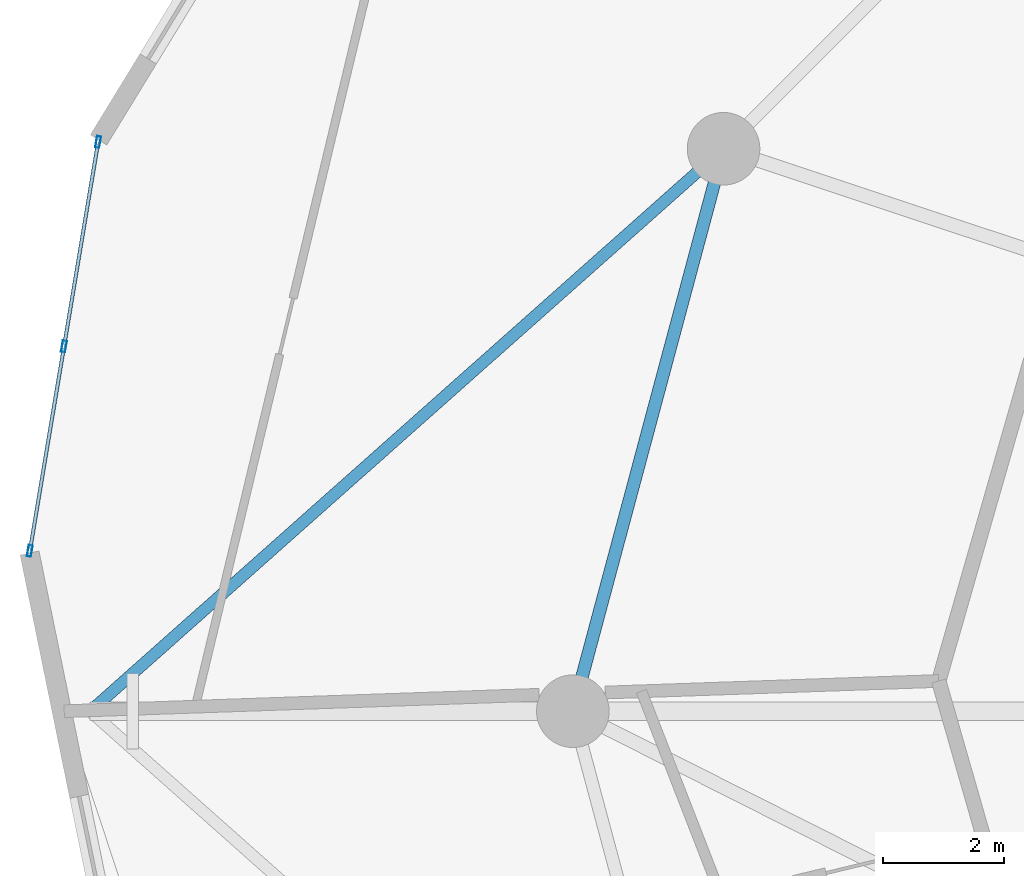
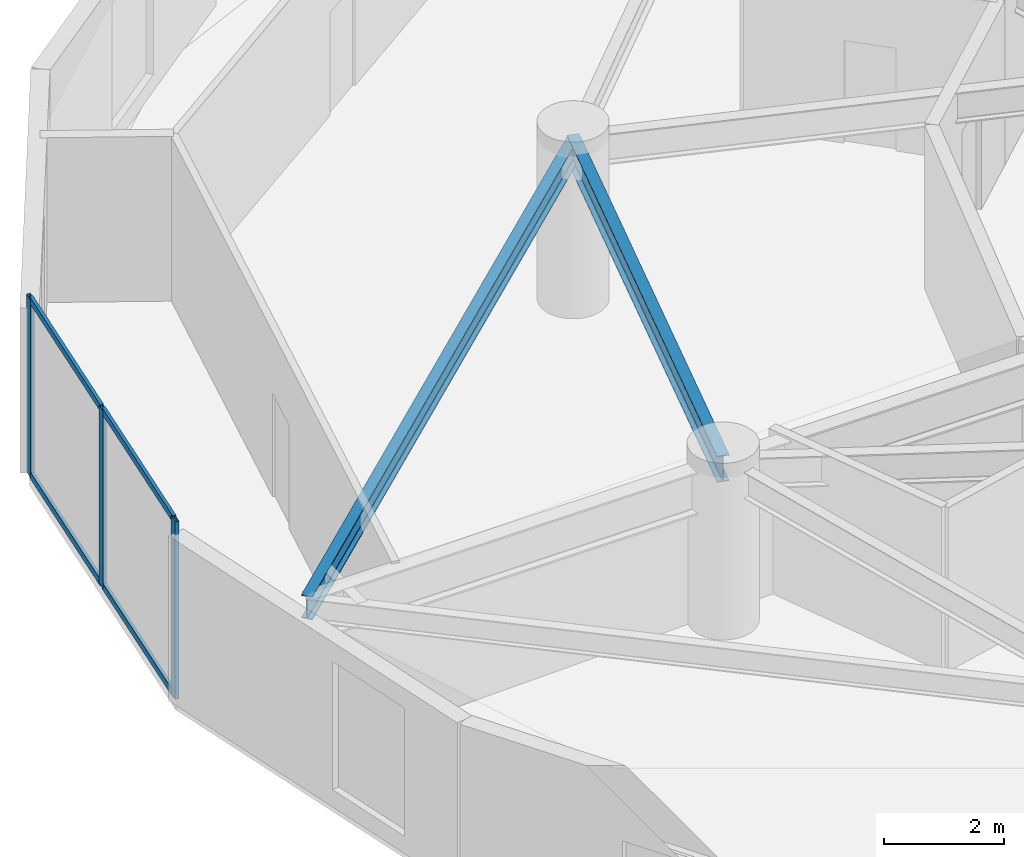
# One storey, part 4 of 23: 7 members, 2 beams, 1 element without a shape of its own.
"""IFC4 building model written with IfcOpenShell, lengths in metres."""

from ifc_helpers import new_model, si_unit, direction, frame, origin, origin_2d, place, context, subcontext, project, spatial, hollow_rectangle, i_section, extrude, source, transform, mapped, material, layer, layer_set, material_profile, profile_set, type_object, element, aggregate, save


model = new_model("IFC4")

# Units and contexts
model_context = context("Model", 3, precision=1e-05, world=origin(), true_north=direction((0.0, 1.0)))
body_context = subcontext(model_context, "Body", "Model", "MODEL_VIEW")
ifc_project = project(units=[si_unit("LENGTHUNIT", "METRE"), si_unit("AREAUNIT", "SQUARE_METRE"), si_unit("VOLUMEUNIT", "CUBIC_METRE"), si_unit("PLANEANGLEUNIT", "RADIAN"), si_unit("MASSUNIT", "GRAM", prefix="KILO")], contexts=[model_context])

# Site, building, storey
site_placement = place(None, origin())
site = spatial("IfcSite", under=ifc_project, at=site_placement, CompositionType="ELEMENT")
building_placement = place(site_placement, origin())
building = spatial("IfcBuilding", under=site, at=building_placement, Name="Solvirekh Grand Hotel", CompositionType="ELEMENT")
storey_placement = place(building_placement, frame((0.0, 0.0, 75.199951171875)))
storey = spatial("IfcBuildingStorey", under=building, at=storey_placement, Name="L18", CompositionType="ELEMENT", Elevation=75.199951171875)

# Beams
ifc_material_1 = material(Name="Steel S355", Category="steel")
ifc_material_profile_1 = material_profile(ifc_material_1, i_section(OverallWidth=0.194091796875, OverallDepth=0.468994140625, WebThickness=0.010986328125, FlangeThickness=0.01904296875, FilletRadius=0.012939453125, at=origin_2d()), Name="W460X106")
ifc_profile_set_1 = profile_set([ifc_material_profile_1], Name="Steel S355")
beam_type_1 = type_object("IfcBeamType", Name="Beam_Radial_W460H", PredefinedType="BEAM", material=ifc_profile_set_1)
beam_1_placement = place(storey_placement, frame((-16.10791015625, 9.300048828125, 3.054931640625), z_axis=(-0.747712190625, -0.664022951403, 0.0), x_axis=(0.664022951403, -0.747712190625, 0.0)))
element("IfcBeam", 1, at=beam_1_placement, inside=storey, type_object=beam_type_1, Name="L19 sky-garden edge tie beam 1", PredefinedType="BEAM", context=body_context, shape_type="SweptSolid", body=[
    extrude(i_section(OverallWidth=0.194091796875, OverallDepth=0.468994140625, WebThickness=0.010986328125, FlangeThickness=0.01904296875, FilletRadius=0.012939453125, at=origin_2d()), origin(), (0.0, 0.0, 1.0), 14.005615234375),
])
ifc_material_profile_2 = material_profile(ifc_material_1, i_section(OverallWidth=0.208984375, OverallDepth=0.532958984375, WebThickness=0.010009765625, FlangeThickness=0.014892578125, FilletRadius=0.013916015625, at=origin_2d()), Name="W530X92")
ifc_profile_set_2 = profile_set([ifc_material_profile_2], Name="Steel S355")
beam_type_2 = type_object("IfcBeamType", Name="Spandrel_Ring_W530", PredefinedType="SPANDREL", material=ifc_profile_set_2)
beam_2_placement = place(storey_placement, frame((-16.10791015625, 9.300048828125, 3.073974609375), z_axis=(-0.258842973314, -0.965919414426, 0.0), x_axis=(0.965919414426, -0.258842973314, 0.0)))
element("IfcBeam", 2, at=beam_2_placement, inside=storey, type_object=beam_type_2, Name="L18 perimeter spandrel beam 6", PredefinedType="SPANDREL", context=body_context, shape_type="SweptSolid", body=[
    extrude(i_section(OverallWidth=0.208984375, OverallDepth=0.532958984375, WebThickness=0.010009765625, FlangeThickness=0.014892578125, FilletRadius=0.013916015625, at=origin_2d()), origin(), (0.0, 0.0, 1.0), 9.628173828125),
])

# Curtain wall, members
ifc_material_2 = material(Name="Anodized Bronze Aluminium 6063-T6", Category="aluminium")
ifc_layer = layer(ifc_material_2, 0.18994140625)
ifc_layer_set = layer_set([ifc_layer], Name="Anodized Bronze Aluminium 6063-T6")
curtain_wall_type = type_object("IfcCurtainWallType", Name="CW_Sys2_LowZoneFlushBronzeCW", PredefinedType="NOTDEFINED", material=ifc_layer_set)
curtain_wall_placement = place(storey_placement, origin())
curtain_wall = element("IfcCurtainWall", 3, at=curtain_wall_placement, inside=storey, type_object=curtain_wall_type, Name="L18 unitised bronze-glass curtain wall CW-L18-C11", PredefinedType="NOTDEFINED")
ifc_material_profile_3 = material_profile(ifc_material_2, hollow_rectangle(XDim=0.070068359375, YDim=0.18994140625, WallThickness=0.0048828125, at=origin_2d()), Name="ALU RHS 190X70X5")
ifc_profile_set_3 = profile_set([ifc_material_profile_3], Name="Anodized Bronze Aluminium 6063-T6")
member_type_1 = type_object("IfcMemberType", Name="CWMullion_Sys2", PredefinedType="MULLION", material=ifc_profile_set_3)
shared_shape_1 = source(origin(), body_context, "Body", "SweptSolid", [
    extrude(hollow_rectangle(XDim=0.070068359375, YDim=0.18994140625, WallThickness=0.0048828125, at=origin_2d()), origin(), (0.0, 0.0, 1.0), 3.60009765625),
])
member_1_placement = place(storey_placement, frame((-26.44873046875, 9.41259765625, 0.0), z_axis=(0.0, 0.0, 1.0), x_axis=(0.986335324386, -0.164750198387, 0.0)))
member_1 = element("IfcMember", 4, at=member_1_placement, type_object=member_type_1, Name="U02 mullion 1", PredefinedType="MULLION", context=body_context, shape_type="MappedRepresentation", body=[
    mapped(shared_shape_1, transform((0.0, 0.0, 0.0), x_axis=(1.0, 0.0, 0.0), y_axis=(0.0, 1.0, 0.0), z_axis=(0.0, 0.0, 1.0), scale=1.0)),
])
member_2_placement = place(storey_placement, frame((-27.013427734375, 6.031494140625, 0.0), z_axis=(0.0, 0.0, 1.0), x_axis=(0.986335324386, -0.164750198387, 0.0)))
member_2 = element("IfcMember", 5, at=member_2_placement, type_object=member_type_1, Name="U02 mullion 2", PredefinedType="MULLION", context=body_context, shape_type="MappedRepresentation", body=[
    mapped(shared_shape_1, transform((0.0, 0.0, 0.0), x_axis=(1.0, 0.0, 0.0), y_axis=(0.0, 1.0, 0.0), z_axis=(0.0, 0.0, 1.0), scale=1.0)),
])
member_3_placement = place(storey_placement, frame((-27.578125, 2.650634765625, 0.0), z_axis=(0.0, 0.0, 1.0), x_axis=(0.986335324386, -0.164750198387, 0.0)))
member_3 = element("IfcMember", 6, at=member_3_placement, type_object=member_type_1, Name="U02 mullion 3", PredefinedType="MULLION", context=body_context, shape_type="MappedRepresentation", body=[
    mapped(shared_shape_1, transform((0.0, 0.0, 0.0), x_axis=(1.0, 0.0, 0.0), y_axis=(0.0, 1.0, 0.0), z_axis=(0.0, 0.0, 1.0), scale=1.0)),
])
ifc_material_profile_4 = material_profile(ifc_material_2, hollow_rectangle(XDim=0.06005859375, YDim=0.135009765625, WallThickness=0.00390625, at=origin_2d()), Name="ALU RHS 135X60X4")
ifc_profile_set_4 = profile_set([ifc_material_profile_4], Name="Anodized Bronze Aluminium 6063-T6")
member_type_2 = type_object("IfcMemberType", Name="CWTransom_Sys2", PredefinedType="USERDEFINED", material=ifc_profile_set_4)
shared_shape_2 = source(origin(), body_context, "Body", "SweptSolid", [
    extrude(hollow_rectangle(XDim=0.06005859375, YDim=0.135009765625, WallThickness=0.00390625, at=origin_2d()), origin(), (0.0, 0.0, 1.0), 3.35791015625),
])
member_4_placement = place(storey_placement, frame((-26.45458984375, 9.3779296875, 0.030029296875), z_axis=(-0.164752683506, -0.986334909287, 0.0), x_axis=(0.986334909287, -0.164752683506, 0.0)))
member_4 = element("IfcMember", 7, at=member_4_placement, type_object=member_type_2, Name="U02 transom 1.1", ObjectType="TRANSOM", PredefinedType="USERDEFINED", context=body_context, shape_type="MappedRepresentation", body=[
    mapped(shared_shape_2, transform((0.0, 0.0, 0.0), x_axis=(1.0, 0.0, 0.0), y_axis=(0.0, 1.0, 0.0), z_axis=(0.0, 0.0, 1.0), scale=1.0)),
])
member_5_placement = place(storey_placement, frame((-26.45458984375, 9.3779296875, 3.570068359375), z_axis=(-0.164752683506, -0.986334909287, 0.0), x_axis=(0.986334909287, -0.164752683506, 0.0)))
member_5 = element("IfcMember", 8, at=member_5_placement, type_object=member_type_2, Name="U02 transom 1.2", ObjectType="TRANSOM", PredefinedType="USERDEFINED", context=body_context, shape_type="MappedRepresentation", body=[
    mapped(shared_shape_2, transform((0.0, 0.0, 0.0), x_axis=(1.0, 0.0, 0.0), y_axis=(0.0, 1.0, 0.0), z_axis=(0.0, 0.0, 1.0), scale=1.0)),
])
member_6_placement = place(storey_placement, frame((-27.019287109375, 5.9970703125, 0.030029296875), z_axis=(-0.164752683506, -0.986334909287, 0.0), x_axis=(0.986334909287, -0.164752683506, 0.0)))
member_6 = element("IfcMember", 9, at=member_6_placement, type_object=member_type_2, Name="U02 transom 2.1", ObjectType="TRANSOM", PredefinedType="USERDEFINED", context=body_context, shape_type="MappedRepresentation", body=[
    mapped(shared_shape_2, transform((0.0, 0.0, 0.0), x_axis=(1.0, 0.0, 0.0), y_axis=(0.0, 1.0, 0.0), z_axis=(0.0, 0.0, 1.0), scale=1.0)),
])
member_7_placement = place(storey_placement, frame((-27.019287109375, 5.9970703125, 3.570068359375), z_axis=(-0.164752683506, -0.986334909287, 0.0), x_axis=(0.986334909287, -0.164752683506, 0.0)))
member_7 = element("IfcMember", 10, at=member_7_placement, type_object=member_type_2, Name="U02 transom 2.2", ObjectType="TRANSOM", PredefinedType="USERDEFINED", context=body_context, shape_type="MappedRepresentation", body=[
    mapped(shared_shape_2, transform((0.0, 0.0, 0.0), x_axis=(1.0, 0.0, 0.0), y_axis=(0.0, 1.0, 0.0), z_axis=(0.0, 0.0, 1.0), scale=1.0)),
])
aggregate(curtain_wall, [member_1, member_2, member_3, member_4, member_5, member_6, member_7])

save(model, "model.ifc")
